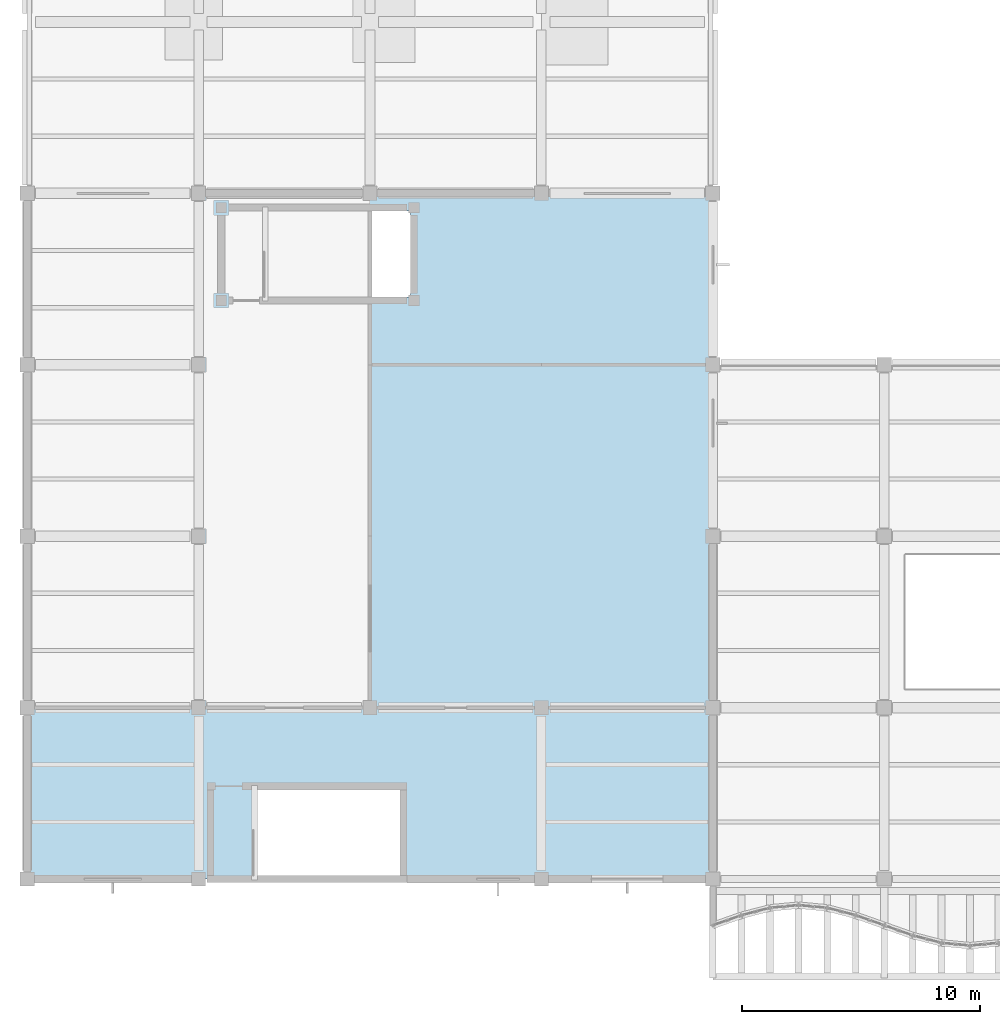
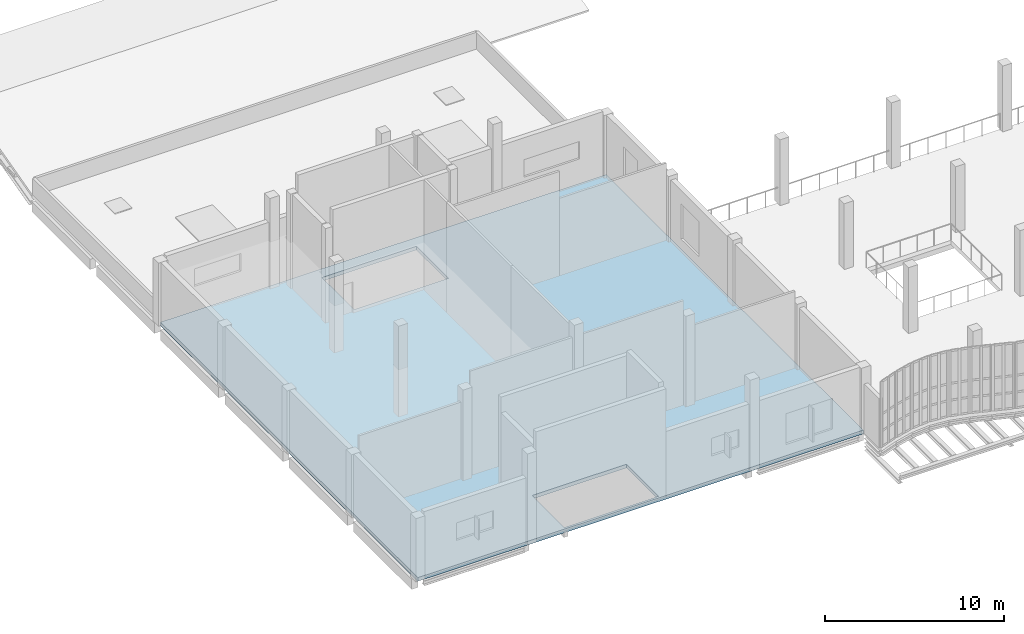
# One storey, part 67 of 105: 1 slab.
"""IFC4 building model written with IfcOpenShell, lengths in metres."""

from ifc_helpers import new_model, si_unit, direction, frame, origin, place, context, subcontext, project, spatial, polyline, outline, extrude, material, layer, layer_set, type_object, element, save


model = new_model("IFC4")

# Units and contexts
model_context = context("Model", 3, precision=1e-05, world=origin(), true_north=direction((0.0, 1.0)))
body_context = subcontext(model_context, "Body", "Model", "MODEL_VIEW")
ifc_project = project(units=[si_unit("LENGTHUNIT", "METRE"), si_unit("AREAUNIT", "SQUARE_METRE"), si_unit("VOLUMEUNIT", "CUBIC_METRE"), si_unit("PLANEANGLEUNIT", "RADIAN"), si_unit("MASSUNIT", "GRAM", prefix="KILO"), si_unit("THERMODYNAMICTEMPERATUREUNIT", "KELVIN"), si_unit("POWERUNIT", "WATT")], contexts=[model_context])

# Site, building, storey
site_placement = place(None, origin())
site = spatial("IfcSite", under=ifc_project, at=site_placement, CompositionType="ELEMENT")
building_placement = place(site_placement, origin())
building = spatial("IfcBuilding", under=site, at=building_placement, Name="Kaldorven Railside Theatre", CompositionType="ELEMENT")
storey_placement = place(building_placement, frame((0.0, 0.0, 9.89990234375)))
storey = spatial("IfcBuildingStorey", under=building, at=storey_placement, Name="L02", CompositionType="ELEMENT", Elevation=9.89990234375)

# Slab
ifc_material = material(Name="Concrete C35/45", Category="concrete")
ifc_layer = layer(ifc_material, 0.25, Name="Concrete C35/45")
ifc_layer_set = layer_set([ifc_layer], Name="Concrete C35/45")
slab_type = type_object("IfcSlabType", Name="SLB-FSL-250", PredefinedType="FLOOR", material=ifc_layer_set)
slab_placement = place(storey_placement, frame((0.0, 0.0, -0.25)))
element("IfcSlab", 1, at=slab_placement, inside=storey, type_object=slab_type, Name="L02 Floor Slab SL-L02-V3", PredefinedType="FLOOR", context=body_context, shape_type="SweptSolid", body=[
    extrude(outline(polyline([(8.0, 19.199951171875), (36.800048828125, 19.199951171875), (36.800048828125, 48.0), (8.0, 48.0), (8.0, 19.199951171875)]), holes=[polyline([(17.550048828125, 19.35009765625), (23.64990234375, 19.35009765625), (23.64990234375, 22.949951171875), (17.550048828125, 22.949951171875), (17.550048828125, 19.35009765625)]), polyline([(18.0, 43.64990234375), (24.10009765625, 43.64990234375), (24.10009765625, 47.25), (18.0, 47.25), (18.0, 43.64990234375)])]), origin(), (0.0, 0.0, 1.0), 0.25),
])

save(model, "model.ifc")
